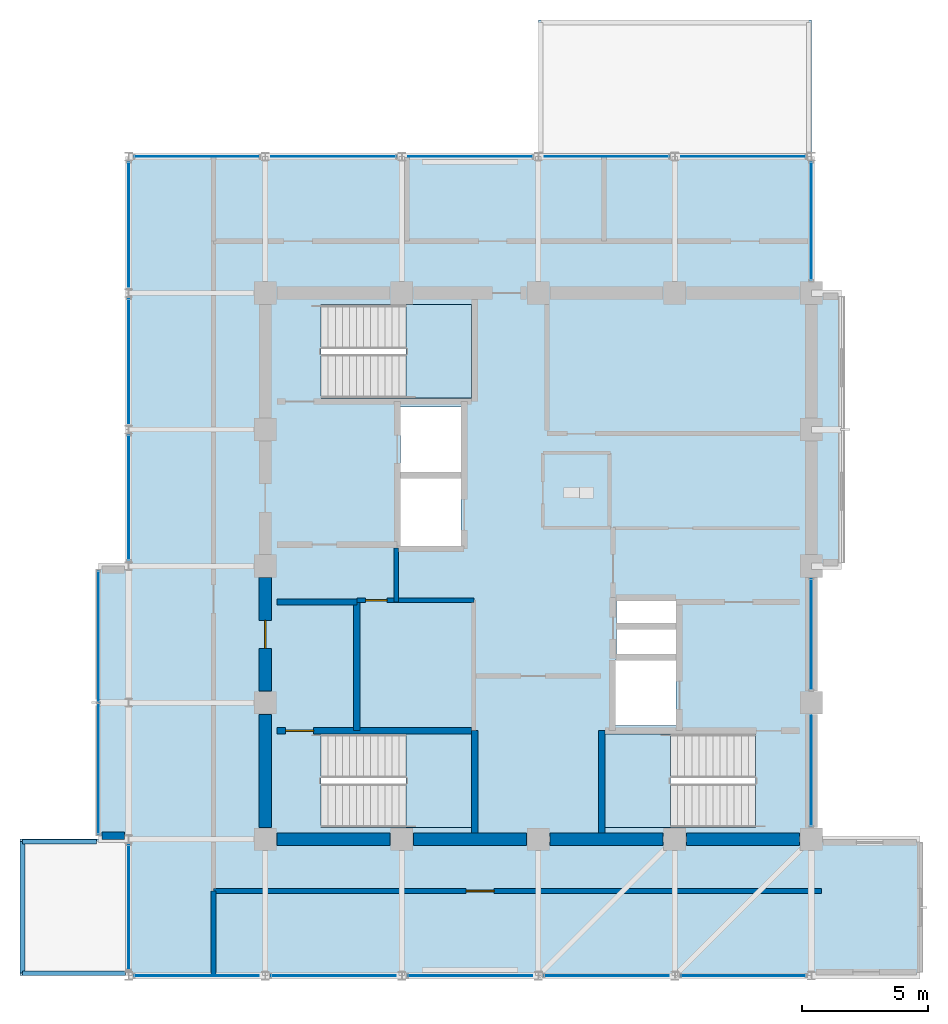
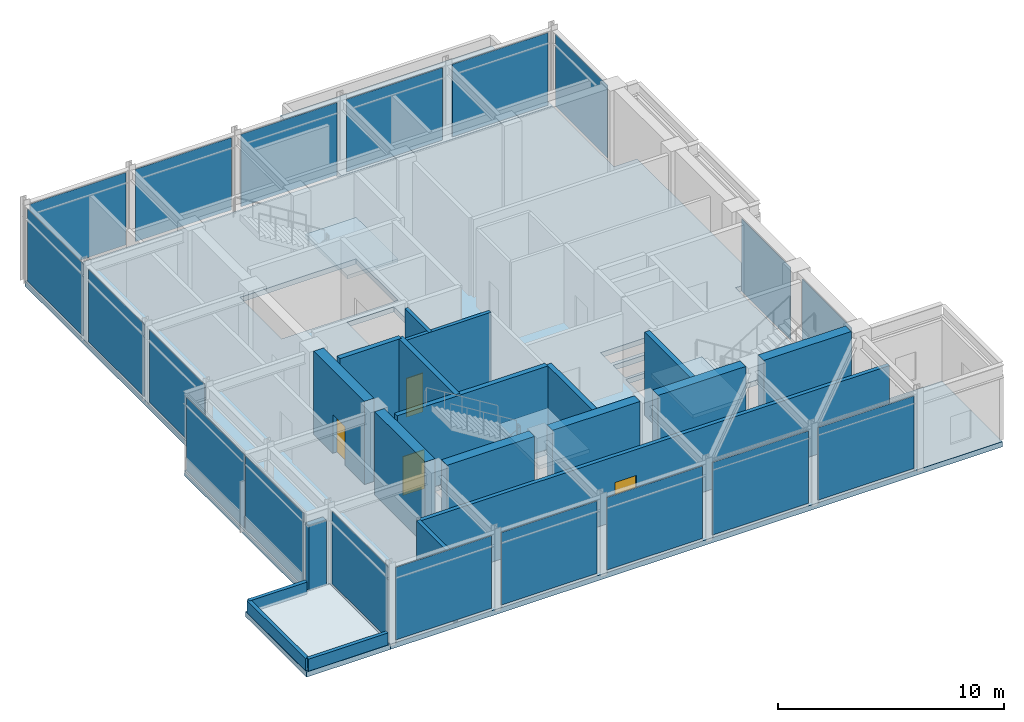
# One storey, part 13 of 18: 19 plates, 19 walls, 6 slabs, 4 doors, 4 openings, 10 elements without a shape of their own.
"""IFC4 building model written with IfcOpenShell, lengths in metres."""

from ifc_helpers import new_model, si_unit, direction, frame, frame_2d, origin, place, context, subcontext, project, spatial, polyline, rectangle, outline, extrude, material, layer, layer_set, type_object, element, fill, aggregate, save


model = new_model("IFC4")

# Units and contexts
model_context = context("Model", 3, precision=1e-05, world=origin(), true_north=direction((0.0, 1.0)))
body_context = subcontext(model_context, "Body", "Model", "MODEL_VIEW")
ifc_project = project(units=[si_unit("LENGTHUNIT", "METRE"), si_unit("AREAUNIT", "SQUARE_METRE"), si_unit("VOLUMEUNIT", "CUBIC_METRE"), si_unit("PLANEANGLEUNIT", "RADIAN"), si_unit("MASSUNIT", "GRAM", prefix="KILO")], contexts=[model_context])

# Site, building, storey
site_placement = place(None, origin())
site = spatial("IfcSite", under=ifc_project, at=site_placement, CompositionType="ELEMENT")
building_placement = place(site_placement, origin())
building = spatial("IfcBuilding", under=site, at=building_placement, Name="Surkhivell Harbour Commons", CompositionType="ELEMENT")
storey_placement = place(building_placement, frame((0.0, 0.0, 355.5)))
storey = spatial("IfcBuildingStorey", under=building, at=storey_placement, Name="L92", CompositionType="ELEMENT", Elevation=355.5)

# Curtain wall, plates
ifc_material_1 = material(Name="Anodised pale-metal aluminium and insulated glazing", Category="aluminium")
ifc_layer_1 = layer(ifc_material_1, 0.22998046875)
ifc_layer_set_1 = layer_set([ifc_layer_1], Name="Anodised pale-metal aluminium and insulated glazing")
curtain_wall_type_1 = type_object("IfcCurtainWallType", Name="CW-SYS-CRN", PredefinedType="NOTDEFINED", material=ifc_layer_set_1)
curtain_wall_1_placement = place(storey_placement, origin())
curtain_wall_1 = element("IfcCurtainWall", 1, at=curtain_wall_1_placement, inside=storey, type_object=curtain_wall_type_1, Name="L92 Curtain Wall CW-L92-C00", PredefinedType="NOTDEFINED")
ifc_material_2 = material(Name="Botanical conservatory clear low-iron glass", Category="glass")
ifc_layer_2 = layer(ifc_material_2, 0.033935546875)
ifc_layer_set_2 = layer_set([ifc_layer_2], Name="Botanical conservatory clear low-iron glass")
plate_type_1 = type_object("IfcPlateType", Name="CWP-CRN-34", PredefinedType="CURTAIN_PANEL", material=ifc_layer_set_2)
plate_1_placement = place(storey_placement, frame((-15.952880859375, -16.199951171875, 0.14990234375), z_axis=(0.0, 0.0, 1.0), x_axis=(1.0, 0.0, 0.0)))
plate_1 = element("IfcPlate", 2, at=plate_1_placement, type_object=plate_type_1, Name="CW-CRN panel 1.1", PredefinedType="CURTAIN_PANEL", context=body_context, shape_type="SweptSolid", body=[
    extrude(rectangle(XDim=4.90576171875, YDim=0.033935546875, at=frame_2d((2.452880859375, 0.0))), origin(), (0.0, 0.0, 1.0), 3.920166015625),
])
plate_2_placement = place(storey_placement, frame((-10.552978515625, -16.199951171875, 0.14990234375), z_axis=(0.0, 0.0, 1.0), x_axis=(1.0, 0.0, 0.0)))
plate_2 = element("IfcPlate", 3, at=plate_2_placement, type_object=plate_type_1, Name="CW-CRN panel 2.1", PredefinedType="CURTAIN_PANEL", context=body_context, shape_type="SweptSolid", body=[
    extrude(rectangle(XDim=4.906005859375, YDim=0.033935546875, at=frame_2d((2.453125, 0.0))), origin(), (0.0, 0.0, 1.0), 3.920166015625),
])
plate_3_placement = place(storey_placement, frame((-5.153076171875, -16.199951171875, 0.14990234375), z_axis=(0.0, 0.0, 1.0), x_axis=(1.0, 0.0, 0.0)))
plate_3 = element("IfcPlate", 4, at=plate_3_placement, type_object=plate_type_1, Name="CW-CRN panel 3.1", PredefinedType="CURTAIN_PANEL", context=body_context, shape_type="SweptSolid", body=[
    extrude(rectangle(XDim=4.906005859375, YDim=0.033935546875, at=frame_2d((2.453125, 0.0))), origin(), (0.0, 0.0, 1.0), 3.920166015625),
])
plate_4_placement = place(storey_placement, frame((0.2470703125, -16.199951171875, 0.14990234375), z_axis=(0.0, 0.0, 1.0), x_axis=(1.0, 0.0, 0.0)))
plate_4 = element("IfcPlate", 5, at=plate_4_placement, type_object=plate_type_1, Name="CW-CRN panel 4.1", PredefinedType="CURTAIN_PANEL", context=body_context, shape_type="SweptSolid", body=[
    extrude(rectangle(XDim=4.906005859375, YDim=0.033935546875, at=frame_2d((2.453125, 0.0))), origin(), (0.0, 0.0, 1.0), 3.920166015625),
])
plate_5_placement = place(storey_placement, frame((5.64697265625, -16.199951171875, 0.14990234375), z_axis=(0.0, 0.0, 1.0), x_axis=(1.0, 0.0, 0.0)))
plate_5 = element("IfcPlate", 6, at=plate_5_placement, type_object=plate_type_1, Name="CW-CRN panel 5.1", PredefinedType="CURTAIN_PANEL", context=body_context, shape_type="SweptSolid", body=[
    extrude(rectangle(XDim=4.906005859375, YDim=0.033935546875, at=frame_2d((2.453125, 0.0))), origin(), (0.0, 0.0, 1.0), 3.920166015625),
])
aggregate(curtain_wall_1, [plate_1, plate_2, plate_3, plate_4, plate_5])

curtain_wall_2_placement = place(storey_placement, origin())
curtain_wall_2 = element("IfcCurtainWall", 7, at=curtain_wall_2_placement, inside=storey, type_object=curtain_wall_type_1, Name="L92 Curtain Wall CW-L92-C01S1", PredefinedType="NOTDEFINED")
plate_6_placement = place(storey_placement, frame((10.800048828125, -10.27294921875, 0.14990234375), z_axis=(0.0, 0.0, 1.0), x_axis=(0.0, 1.0, 0.0)))
plate_6 = element("IfcPlate", 8, at=plate_6_placement, type_object=plate_type_1, Name="CW-CRN panel 1.1", PredefinedType="CURTAIN_PANEL", context=body_context, shape_type="SweptSolid", body=[
    extrude(rectangle(XDim=4.345947265625, YDim=0.033935546875, at=frame_2d((2.1728515625, 0.0))), origin(), (0.0, 0.0, 1.0), 3.920166015625),
])
plate_7_placement = place(storey_placement, frame((10.800048828125, -4.873046875, 0.14990234375), z_axis=(0.0, 0.0, 1.0), x_axis=(0.0, 1.0, 0.0)))
plate_7 = element("IfcPlate", 9, at=plate_7_placement, type_object=plate_type_1, Name="CW-CRN panel 2.1", PredefinedType="CURTAIN_PANEL", context=body_context, shape_type="SweptSolid", body=[
    extrude(rectangle(XDim=4.345947265625, YDim=0.033935546875, at=frame_2d((2.1728515625, 0.0))), origin(), (0.0, 0.0, 1.0), 3.920166015625),
])
aggregate(curtain_wall_2, [plate_6, plate_7])

# Curtain wall, plate
curtain_wall_3_placement = place(storey_placement, origin())
curtain_wall_3 = element("IfcCurtainWall", 10, at=curtain_wall_3_placement, inside=storey, type_object=curtain_wall_type_1, Name="L92 Curtain Wall CW-L92-C01S2", PredefinedType="NOTDEFINED")
plate_8_placement = place(storey_placement, frame((10.800048828125, 11.326904296875, 0.14990234375), z_axis=(0.0, 0.0, 1.0), x_axis=(0.0, 1.0, 0.0)))
plate_8 = element("IfcPlate", 11, at=plate_8_placement, type_object=plate_type_1, Name="CW-CRN panel 1.1", PredefinedType="CURTAIN_PANEL", context=body_context, shape_type="SweptSolid", body=[
    extrude(rectangle(XDim=4.6259765625, YDim=0.033935546875, at=frame_2d((2.31298828125, 0.0))), origin(), (0.0, 0.0, 1.0), 3.920166015625),
])
aggregate(curtain_wall_3, [plate_8])

# Curtain wall, plates
curtain_wall_4_placement = place(storey_placement, origin())
curtain_wall_4 = element("IfcCurtainWall", 12, at=curtain_wall_4_placement, inside=storey, type_object=curtain_wall_type_1, Name="L92 Curtain Wall CW-L92-C02", PredefinedType="NOTDEFINED")
plate_9_placement = place(storey_placement, frame((10.552978515625, 16.199951171875, 0.14990234375), z_axis=(0.0, 0.0, 1.0), x_axis=(-1.0, 0.0, 0.0)))
plate_9 = element("IfcPlate", 13, at=plate_9_placement, type_object=plate_type_1, Name="CW-CRN panel 1.1", PredefinedType="CURTAIN_PANEL", context=body_context, shape_type="SweptSolid", body=[
    extrude(rectangle(XDim=4.906005859375, YDim=0.033935546875, at=frame_2d((2.453125, 0.0))), origin(), (0.0, 0.0, 1.0), 3.920166015625),
])
plate_10_placement = place(storey_placement, frame((5.153076171875, 16.199951171875, 0.14990234375), z_axis=(0.0, 0.0, 1.0), x_axis=(-1.0, 0.0, 0.0)))
plate_10 = element("IfcPlate", 14, at=plate_10_placement, type_object=plate_type_1, Name="CW-CRN panel 2.1", PredefinedType="CURTAIN_PANEL", context=body_context, shape_type="SweptSolid", body=[
    extrude(rectangle(XDim=4.906005859375, YDim=0.033935546875, at=frame_2d((2.453125, 0.0))), origin(), (0.0, 0.0, 1.0), 3.920166015625),
])
plate_11_placement = place(storey_placement, frame((-0.2470703125, 16.199951171875, 0.14990234375), z_axis=(0.0, 0.0, 1.0), x_axis=(-1.0, 0.0, 0.0)))
plate_11 = element("IfcPlate", 15, at=plate_11_placement, type_object=plate_type_1, Name="CW-CRN panel 3.1", PredefinedType="CURTAIN_PANEL", context=body_context, shape_type="SweptSolid", body=[
    extrude(rectangle(XDim=4.906005859375, YDim=0.033935546875, at=frame_2d((2.453125, 0.0))), origin(), (0.0, 0.0, 1.0), 3.920166015625),
])
plate_12_placement = place(storey_placement, frame((-5.64697265625, 16.199951171875, 0.14990234375), z_axis=(0.0, 0.0, 1.0), x_axis=(-1.0, 0.0, 0.0)))
plate_12 = element("IfcPlate", 16, at=plate_12_placement, type_object=plate_type_1, Name="CW-CRN panel 4.1", PredefinedType="CURTAIN_PANEL", context=body_context, shape_type="SweptSolid", body=[
    extrude(rectangle(XDim=4.906005859375, YDim=0.033935546875, at=frame_2d((2.453125, 0.0))), origin(), (0.0, 0.0, 1.0), 3.920166015625),
])
plate_13_placement = place(storey_placement, frame((-11.047119140625, 16.199951171875, 0.14990234375), z_axis=(0.0, 0.0, 1.0), x_axis=(-1.0, 0.0, 0.0)))
plate_13 = element("IfcPlate", 17, at=plate_13_placement, type_object=plate_type_1, Name="CW-CRN panel 5.1", PredefinedType="CURTAIN_PANEL", context=body_context, shape_type="SweptSolid", body=[
    extrude(rectangle(XDim=4.90576171875, YDim=0.033935546875, at=frame_2d((2.452880859375, 0.0))), origin(), (0.0, 0.0, 1.0), 3.920166015625),
])
aggregate(curtain_wall_4, [plate_9, plate_10, plate_11, plate_12, plate_13])

# Curtain wall, plate
curtain_wall_5_placement = place(storey_placement, origin())
curtain_wall_5 = element("IfcCurtainWall", 18, at=curtain_wall_5_placement, inside=storey, type_object=curtain_wall_type_1, Name="L92 Curtain Wall CW-L92-C03S1", PredefinedType="NOTDEFINED")
plate_14_placement = place(storey_placement, frame((-16.199951171875, -11.047119140625, 0.14990234375), z_axis=(0.0, 0.0, 1.0), x_axis=(0.0, -1.0, 0.0)))
plate_14 = element("IfcPlate", 19, at=plate_14_placement, type_object=plate_type_1, Name="CW-CRN panel 1.1", PredefinedType="CURTAIN_PANEL", context=body_context, shape_type="SweptSolid", body=[
    extrude(rectangle(XDim=4.90576171875, YDim=0.033935546875, at=frame_2d((2.452880859375, 0.0))), origin(), (0.0, 0.0, 1.0), 3.920166015625),
])
aggregate(curtain_wall_5, [plate_14])

# Curtain wall, plates
curtain_wall_6_placement = place(storey_placement, origin())
curtain_wall_6 = element("IfcCurtainWall", 20, at=curtain_wall_6_placement, inside=storey, type_object=curtain_wall_type_1, Name="L92 Curtain Wall CW-L92-C03S2", PredefinedType="NOTDEFINED")
plate_15_placement = place(storey_placement, frame((-16.199951171875, 15.952880859375, 0.14990234375), z_axis=(0.0, 0.0, 1.0), x_axis=(0.0, -1.0, 0.0)))
plate_15 = element("IfcPlate", 21, at=plate_15_placement, type_object=plate_type_1, Name="CW-CRN panel 1.1", PredefinedType="CURTAIN_PANEL", context=body_context, shape_type="SweptSolid", body=[
    extrude(rectangle(XDim=4.90576171875, YDim=0.033935546875, at=frame_2d((2.452880859375, 0.0))), origin(), (0.0, 0.0, 1.0), 3.920166015625),
])
plate_16_placement = place(storey_placement, frame((-16.199951171875, 10.552978515625, 0.14990234375), z_axis=(0.0, 0.0, 1.0), x_axis=(0.0, -1.0, 0.0)))
plate_16 = element("IfcPlate", 22, at=plate_16_placement, type_object=plate_type_1, Name="CW-CRN panel 2.1", PredefinedType="CURTAIN_PANEL", context=body_context, shape_type="SweptSolid", body=[
    extrude(rectangle(XDim=4.906005859375, YDim=0.033935546875, at=frame_2d((2.453125, 0.0))), origin(), (0.0, 0.0, 1.0), 3.920166015625),
])
plate_17_placement = place(storey_placement, frame((-16.199951171875, 5.153076171875, 0.14990234375), z_axis=(0.0, 0.0, 1.0), x_axis=(0.0, -1.0, 0.0)))
plate_17 = element("IfcPlate", 23, at=plate_17_placement, type_object=plate_type_1, Name="CW-CRN panel 3.1", PredefinedType="CURTAIN_PANEL", context=body_context, shape_type="SweptSolid", body=[
    extrude(rectangle(XDim=4.906005859375, YDim=0.033935546875, at=frame_2d((2.453125, 0.0))), origin(), (0.0, 0.0, 1.0), 3.920166015625),
])
aggregate(curtain_wall_6, [plate_15, plate_16, plate_17])

ifc_layer_3 = layer(ifc_material_1, 0.1650390625)
ifc_layer_set_3 = layer_set([ifc_layer_3], Name="Anodised pale-metal aluminium and insulated glazing")
curtain_wall_type_2 = type_object("IfcCurtainWallType", Name="CW-SYS-BOX", PredefinedType="NOTDEFINED", material=ifc_layer_set_3)
curtain_wall_7_placement = place(storey_placement, origin())
curtain_wall_7 = element("IfcCurtainWall", 24, at=curtain_wall_7_placement, inside=storey, type_object=curtain_wall_type_2, Name="L92 Curtain Wall CW-L92-BOX03", PredefinedType="NOTDEFINED")
ifc_material_3 = material(Name="Triple-glazed bay-cluster vision glass", Category="glass")
ifc_layer_4 = layer(ifc_material_3, 0.028076171875)
ifc_layer_set_4 = layer_set([ifc_layer_4], Name="Triple-glazed bay-cluster vision glass")
plate_type_2 = type_object("IfcPlateType", Name="CWP-GLZ-28", PredefinedType="CURTAIN_PANEL", material=ifc_layer_set_4)
plate_18_placement = place(storey_placement, frame((-17.39990234375, -10.580078125, 0.1298828125), z_axis=(0.0, 0.0, 1.0), x_axis=(0.0, 1.0, 0.0)))
plate_18 = element("IfcPlate", 25, at=plate_18_placement, type_object=plate_type_2, Name="CW-BOX panel 1.1", PredefinedType="CURTAIN_PANEL", context=body_context, shape_type="SweptSolid", body=[
    extrude(rectangle(XDim=5.14501953125, YDim=0.028076171875, at=frame_2d((2.572509765625, 0.0))), origin(), (0.0, 0.0, 1.0), 3.960205078125),
])
plate_19_placement = place(storey_placement, frame((-17.39990234375, -5.364990234375, 0.1298828125), z_axis=(0.0, 0.0, 1.0), x_axis=(0.0, 1.0, 0.0)))
plate_19 = element("IfcPlate", 26, at=plate_19_placement, type_object=plate_type_2, Name="CW-BOX panel 2.1", PredefinedType="CURTAIN_PANEL", context=body_context, shape_type="SweptSolid", body=[
    extrude(rectangle(XDim=5.14501953125, YDim=0.028076171875, at=frame_2d((2.572509765625, 0.0))), origin(), (0.0, 0.0, 1.0), 3.960205078125),
])
aggregate(curtain_wall_7, [plate_18, plate_19])

# Slabs
ifc_material_4 = material(Name="Concrete C50/60", Category="concrete")
ifc_layer_5 = layer(ifc_material_4, 0.280029296875)
ifc_layer_set_5 = layer_set([ifc_layer_5], Name="Concrete C50/60")
slab_type_1 = type_object("IfcSlabType", Name="SLB-BOXRF-280", PredefinedType="ROOF", material=ifc_layer_set_5)
slab_1_placement = place(storey_placement, frame((0.0, 0.0, -0.280029296875)))
element("IfcSlab", 27, at=slab_1_placement, inside=storey, type_object=slab_type_1, Name="L92 Closed Box-Cluster Roof Slab 1", PredefinedType="ROOF", context=body_context, shape_type="SweptSolid", body=[
    extrude(outline(polyline([(0.0, 16.219970703125), (10.800048828125, 16.219970703125), (10.800048828125, 21.60009765625), (0.0, 21.60009765625), (0.0, 16.219970703125)])), origin(), (0.0, 0.0, 1.0), 0.280029296875),
])
slab_2_placement = place(storey_placement, frame((0.0, 0.0, -0.280029296875)))
element("IfcSlab", 28, at=slab_2_placement, inside=storey, type_object=slab_type_1, Name="L92 Closed Box-Cluster Roof Slab 2", PredefinedType="ROOF", context=body_context, shape_type="SweptSolid", body=[
    extrude(outline(polyline([(-16.219970703125, -16.199951171875), (-16.219970703125, -10.820068359375), (-17.39990234375, -10.820068359375), (-17.40185546875, -10.81982421875), (-17.40380859375, -10.819580078125), (-17.40576171875, -10.819091796875), (-17.40771484375, -10.818359375), (-17.409423828125, -10.817626953125), (-17.4111328125, -10.816650390625), (-17.41259765625, -10.8154296875), (-17.4140625, -10.814208984375), (-17.41552734375, -10.812744140625), (-17.416748046875, -10.81103515625), (-17.42333984375, -10.800048828125), (-20.5, -10.800048828125), (-20.5, -16.199951171875), (-16.219970703125, -16.199951171875)])), origin(), (0.0, 0.0, 1.0), 0.280029296875),
])
ifc_layer_6 = layer(ifc_material_4, 0.280029296875)
ifc_layer_set_6 = layer_set([ifc_layer_6], Name="Concrete C50/60")
slab_type_2 = type_object("IfcSlabType", Name="SLB-CRN-280", PredefinedType="FLOOR", material=ifc_layer_set_6)
slab_3_placement = place(storey_placement, frame((0.0, 0.0, -0.280029296875)))
element("IfcSlab", 29, at=slab_3_placement, inside=storey, type_object=slab_type_2, Name="L92 Structural Floor Slab", PredefinedType="FLOOR", context=body_context, shape_type="SweptSolid", body=[
    extrude(outline(polyline([(-16.199951171875, 16.199951171875), (-16.199951171875, 0.0), (-17.39990234375, 0.0), (-17.39990234375, -10.800048828125), (-16.199951171875, -10.800048828125), (-16.199951171875, -16.199951171875), (10.800048828125, -16.199951171875), (15.10009765625, -16.199951171875), (15.10009765625, -10.800048828125), (10.800048828125, -10.800048828125), (10.800048828125, 0.0), (12.0, 0.0), (12.0, 10.800048828125), (10.800048828125, 10.800048828125), (10.800048828125, 16.199951171875), (-16.199951171875, 16.199951171875)]), holes=[polyline([(-8.590087890625, 6.639892578125), (-2.639892578125, 6.639892578125), (-2.639892578125, 10.340087890625), (-8.590087890625, 10.340087890625), (-8.590087890625, 6.639892578125)]), polyline([(8.590087890625, -6.639892578125), (2.639892578125, -6.639892578125), (2.639892578125, -10.340087890625), (8.590087890625, -10.340087890625), (8.590087890625, -6.639892578125)]), polyline([(-8.590087890625, -10.340087890625), (-2.639892578125, -10.340087890625), (-2.639892578125, -6.639892578125), (-8.590087890625, -6.639892578125), (-8.590087890625, -10.340087890625)]), polyline([(-5.449951171875, 3.699951171875), (-3.050048828125, 3.699951171875), (-3.050048828125, 6.300048828125), (-5.449951171875, 6.300048828125), (-5.449951171875, 3.699951171875)]), polyline([(3.050048828125, -6.300048828125), (5.449951171875, -6.300048828125), (5.449951171875, -3.699951171875), (3.050048828125, -3.699951171875), (3.050048828125, -6.300048828125)]), polyline([(-5.449951171875, 0.800048828125), (-3.050048828125, 0.800048828125), (-3.050048828125, 3.5), (-5.449951171875, 3.5), (-5.449951171875, 0.800048828125)]), polyline([(3.10009765625, -3.550048828125), (5.449951171875, -3.550048828125), (5.449951171875, -2.47998046875), (3.10009765625, -2.47998046875), (3.10009765625, -3.550048828125)]), polyline([(3.10009765625, -2.280029296875), (5.449951171875, -2.280029296875), (5.449951171875, -1.35009765625), (3.10009765625, -1.35009765625), (3.10009765625, -2.280029296875)])]), origin(), (0.0, 0.0, 1.0), 0.280029296875),
])

# Stair, slab
ifc_material_5 = material(Name="Precast concrete C45/55", Category="concrete")
stair_type = type_object("IfcStairType", Name="STR-DL-450", PredefinedType="HALF_TURN_STAIR", material=ifc_material_5)
stair_1_placement = place(storey_placement, origin())
stair_1 = element("IfcStair", 30, at=stair_1_placement, inside=storey, type_object=stair_type, Name="L92 Core Exit Stair ST1", PredefinedType="HALF_TURN_STAIR")
ifc_material_6 = material(Name="Reinforced concrete C45/55", Category="concrete")
ifc_layer_7 = layer(ifc_material_6, 0.199951171875)
ifc_layer_set_7 = layer_set([ifc_layer_7], Name="Reinforced concrete C45/55")
slab_type_3 = type_object("IfcSlabType", Name="SLB-ST-LND200", PredefinedType="LANDING", material=ifc_layer_set_7)
slab_4_placement = place(storey_placement, frame((0.0, 0.0, 2.050048828125)))
slab_4 = element("IfcSlab", 31, at=slab_4_placement, type_object=slab_type_3, Name="ST1 landing 1", PredefinedType="LANDING", context=body_context, shape_type="SweptSolid", body=[
    extrude(outline(polyline([(-5.22998046875, 6.639892578125), (-2.639892578125, 6.639892578125), (-2.639892578125, 10.340087890625), (-5.22998046875, 10.340087890625), (-5.22998046875, 6.639892578125)])), origin(), (0.0, 0.0, 1.0), 0.199951171875),
])
aggregate(stair_1, [slab_4])

stair_2_placement = place(storey_placement, origin())
stair_2 = element("IfcStair", 32, at=stair_2_placement, inside=storey, type_object=stair_type, Name="L92 Core Exit Stair ST2", PredefinedType="HALF_TURN_STAIR")
slab_5_placement = place(storey_placement, frame((0.0, 0.0, 2.050048828125)))
slab_5 = element("IfcSlab", 33, at=slab_5_placement, type_object=slab_type_3, Name="ST2 landing 1", PredefinedType="LANDING", context=body_context, shape_type="SweptSolid", body=[
    extrude(outline(polyline([(5.22998046875, -6.639892578125), (2.639892578125, -6.639892578125), (2.639892578125, -10.340087890625), (5.22998046875, -10.340087890625), (5.22998046875, -6.639892578125)])), origin(), (0.0, 0.0, 1.0), 0.199951171875),
])
aggregate(stair_2, [slab_5])

stair_3_placement = place(storey_placement, origin())
stair_3 = element("IfcStair", 34, at=stair_3_placement, inside=storey, type_object=stair_type, Name="L92 Core Exit Stair ST3", PredefinedType="HALF_TURN_STAIR")
slab_6_placement = place(storey_placement, frame((0.0, 0.0, 2.050048828125)))
slab_6 = element("IfcSlab", 35, at=slab_6_placement, type_object=slab_type_3, Name="ST3 landing 1", PredefinedType="LANDING", context=body_context, shape_type="SweptSolid", body=[
    extrude(outline(polyline([(-5.22998046875, -10.340087890625), (-2.639892578125, -10.340087890625), (-2.639892578125, -6.639892578125), (-5.22998046875, -6.639892578125), (-5.22998046875, -10.340087890625)])), origin(), (0.0, 0.0, 1.0), 0.199951171875),
])
aggregate(stair_3, [slab_6])

# Walls
ifc_layer_8 = layer(ifc_material_4, 0.5)
ifc_layer_set_8 = layer_set([ifc_layer_8], Name="Concrete C50/60")
wall_type_1 = type_object("IfcWallType", Name="WAL-CORE-500", PredefinedType="SHEAR", material=ifc_layer_set_8)
for number, where, z_axis, x_axis, name in (
    (36, (-10.340087890625, -10.800048828125, 0.0), (0.0, 0.0, 1.0), (1.0, 0.0, 0.0), "L92 Core Shear Wall South 1"),
    (37, (-10.800048828125, -10.340087890625, 0.0), (0.0, 0.0, 1.0), (0.0, 1.0, 0.0), "L92 Core Shear Wall West 1"),
    (38, (-4.93994140625, -10.800048828125, 0.0), (0.0, 0.0, 1.0), (1.0, 0.0, 0.0), "L92 Core Shear Wall South 2"),
):
    element("IfcWall", number, at=place(storey_placement, frame(where, z_axis=z_axis, x_axis=x_axis)), inside=storey, type_object=wall_type_1, Name=name, PredefinedType="SHEAR", context=body_context, shape_type="SweptSolid", body=[
        extrude(rectangle(XDim=4.47998046875, YDim=0.5, at=frame_2d((2.239990234375, 0.0))), origin(), (0.0, 0.0, 1.0), 4.5),
    ])

# Wall, opening, door
wall_1_placement = place(storey_placement, frame((-10.800048828125, -4.93994140625, 0.0), z_axis=(0.0, 0.0, 1.0), x_axis=(0.0, 1.0, 0.0)))
wall_1 = element("IfcWall", 39, at=wall_1_placement, inside=storey, type_object=wall_type_1, Name="L92 Core Shear Wall West 2", PredefinedType="SHEAR", context=body_context, shape_type="SweptSolid", body=[
    extrude(rectangle(XDim=4.47998046875, YDim=0.5, at=frame_2d((2.239990234375, 0.0))), origin(), (0.0, 0.0, 1.0), 4.5),
])
opening_1_placement = place(wall_1_placement, frame((1.68994140625, 0.0, 0.0)))
opening_1 = element("IfcOpeningElement", 40, at=opening_1_placement, cuts=wall_1, Name="Opening ID-2", PredefinedType="OPENING", context=body_context, shape_type="SweptSolid", body=[
    extrude(rectangle(XDim=1.10009765625, YDim=2.10009765625, at=frame_2d((0.550048828125, 1.050048828125))), frame((0.0, 0.260009765625, 0.0), z_axis=(0.0, -1.0, 0.0), x_axis=(1.0, 0.0, 0.0)), (0.0, 0.0, 1.0), 0.52001953125),
])
ifc_material_7 = material(Name="Hardwood-veneered fire-rated door leaf", Category="wood")
door_type_1 = type_object("IfcDoorType", Name="DOR-FD60-1100", OperationType="NOTDEFINED", PredefinedType="DOOR", material=ifc_material_7)
door_1_placement = place(opening_1_placement, origin())
door_1 = element("IfcDoor", 41, at=door_1_placement, inside=storey, type_object=door_type_1, Name="L92 Stair 3 Lobby Corridor Door", OperationType="SINGLE_SWING_LEFT", OverallHeight=2.10009765625, OverallWidth=1.10009765625, PredefinedType="DOOR", context=body_context, shape_type="SweptSolid", body=[
    extrude(rectangle(XDim=1.10009765625, YDim=2.10009765625, at=frame_2d((0.550048828125, 1.050048828125))), frame((0.0, 0.02490234375, 0.0), z_axis=(0.0, -1.0, 0.0), x_axis=(1.0, 0.0, 0.0)), (0.0, 0.0, 1.0), 0.050048828125),
])
fill(opening_1, door_1)

# Walls
for number, where, z_axis, x_axis, name in (
    (42, (0.4599609375, -10.800048828125, 0.0), (0.0, 0.0, 1.0), (1.0, 0.0, 0.0), "L92 Core Shear Wall South 3"),
    (43, (5.860107421875, -10.800048828125, 0.0), (0.0, 0.0, 1.0), (1.0, 0.0, 0.0), "L92 Core Shear Wall South 4"),
):
    element("IfcWall", number, at=place(storey_placement, frame(where, z_axis=z_axis, x_axis=x_axis)), inside=storey, type_object=wall_type_1, Name=name, PredefinedType="SHEAR", context=body_context, shape_type="SweptSolid", body=[
        extrude(rectangle(XDim=4.47998046875, YDim=0.5, at=frame_2d((2.239990234375, 0.0))), origin(), (0.0, 0.0, 1.0), 4.5),
    ])
ifc_material_8 = material(Name="Flemish-bond kiln brick and precast concrete C45/55", Category="masonry")
ifc_layer_9 = layer(ifc_material_8, 0.300048828125)
ifc_layer_set_9 = layer_set([ifc_layer_9], Name="Flemish-bond kiln brick and precast concrete C45/55")
wall_type_2 = type_object("IfcWallType", Name="WAL-EXT-BRK300", PredefinedType="STANDARD", material=ifc_layer_set_9)
wall_2_placement = place(storey_placement, frame((-17.260009765625, -10.659912109375, 0.0), z_axis=(0.0, 0.0, 1.0), x_axis=(1.0, 0.0, 0.0)))
element("IfcWall", 44, at=wall_2_placement, inside=storey, type_object=wall_type_2, Name="L92 Coloured Box Return Wall 03S", PredefinedType="STANDARD", context=body_context, shape_type="SweptSolid", body=[
    extrude(rectangle(XDim=0.885986328125, YDim=0.300048828125, at=frame_2d((0.44287109375, 0.0))), origin(), (0.0, 0.0, 1.0), 3.507080078125),
])

# Wall, opening, door
ifc_material_9 = material(Name="High-density acoustic blockwork fire partition", Category="masonry")
ifc_layer_10 = layer(ifc_material_9, 0.175048828125)
ifc_layer_set_10 = layer_set([ifc_layer_10], Name="High-density acoustic blockwork fire partition")
wall_type_3 = type_object("IfcWallType", Name="WAL-INT-175", PredefinedType="PARTITIONING", material=ifc_layer_set_10)
wall_3_placement = place(storey_placement, frame((-7.179931640625, -1.35009765625, 0.0), z_axis=(0.0, 0.0, 1.0), x_axis=(1.0, 0.0, 0.0)))
wall_3 = element("IfcWall", 45, at=wall_3_placement, inside=storey, type_object=wall_type_3, Name="L92 Core Service Bay North Wall", PredefinedType="PARTITIONING", context=body_context, shape_type="SweptSolid", body=[
    extrude(rectangle(XDim=4.6298828125, YDim=0.175048828125, at=frame_2d((2.31494140625, 0.0))), origin(), (0.0, 0.0, 1.0), 4.219970703125),
])
opening_2_placement = place(wall_3_placement, frame((0.345947265625, 0.0, 0.0)))
opening_2 = element("IfcOpeningElement", 46, at=opening_2_placement, cuts=wall_3, Name="Opening ID-6", PredefinedType="OPENING", context=body_context, shape_type="SweptSolid", body=[
    extrude(rectangle(XDim=0.85009765625, YDim=2.10009765625, at=frame_2d((0.425048828125, 1.050048828125))), frame((0.0, 0.097412109375, 0.0), z_axis=(0.0, -1.0, 0.0), x_axis=(1.0, 0.0, 0.0)), (0.0, 0.0, 1.0), 0.195068359375),
])
door_type_2 = type_object("IfcDoorType", Name="DOR-FD30-850", OperationType="NOTDEFINED", PredefinedType="DOOR", material=ifc_material_7)
door_2_placement = place(opening_2_placement, origin())
door_2 = element("IfcDoor", 47, at=door_2_placement, inside=storey, type_object=door_type_2, Name="L92 Core Metering Door", OperationType="SINGLE_SWING_LEFT", OverallHeight=2.10009765625, OverallWidth=0.85009765625, PredefinedType="DOOR", context=body_context, shape_type="SweptSolid", body=[
    extrude(rectangle(XDim=0.85009765625, YDim=2.10009765625, at=frame_2d((0.425048828125, 1.050048828125))), frame((0.0, 0.02490234375, 0.0), z_axis=(0.0, -1.0, 0.0), x_axis=(1.0, 0.0, 0.0)), (0.0, 0.0, 1.0), 0.050048828125),
])
fill(opening_2, door_2)

# Walls
wall_4_placement = place(storey_placement, frame((-5.6201171875, -1.419921875, 0.0), z_axis=(0.0, 0.0, 1.0), x_axis=(0.0, 1.0, 0.0)))
element("IfcWall", 48, at=wall_4_placement, inside=storey, type_object=wall_type_3, Name="L92 West Core Bay East Wall", PredefinedType="PARTITIONING", context=body_context, shape_type="SweptSolid", body=[
    extrude(rectangle(XDim=2.139892578125, YDim=0.175048828125, at=frame_2d((1.06982421875, 0.0))), origin(), (0.0, 0.0, 1.0), 4.219970703125),
])
ifc_material_10 = material(Name="Autoclaved aerated concrete blockwork and fire plaster", Category="masonry")
ifc_layer_11 = layer(ifc_material_10, 0.199951171875)
ifc_layer_set_11 = layer_set([ifc_layer_11], Name="Autoclaved aerated concrete blockwork and fire plaster")
wall_type_4 = type_object("IfcWallType", Name="WAL-INT-200", PredefinedType="PARTITIONING", material=ifc_layer_set_11)
wall_5_placement = place(storey_placement, frame((-12.85009765625, -16.159912109375, 0.0), z_axis=(0.0, 0.0, 1.0), x_axis=(0.0, 1.0, 0.0)))
element("IfcWall", 49, at=wall_5_placement, inside=storey, type_object=wall_type_4, Name="L92 Crown SW Corner Wall", PredefinedType="PARTITIONING", context=body_context, shape_type="SweptSolid", body=[
    extrude(rectangle(XDim=3.309814453125, YDim=0.199951171875, at=frame_2d((1.65478515625, 0.0))), origin(), (0.0, 0.0, 1.0), 3.507080078125),
])

# Wall, opening, door
wall_6_placement = place(storey_placement, frame((-12.85009765625, -12.85009765625, 0.0), z_axis=(0.0, 0.0, 1.0), x_axis=(1.0, 0.0, 0.0)))
wall_6 = element("IfcWall", 50, at=wall_6_placement, inside=storey, type_object=wall_type_4, Name="L92 Crown Corridor South Wall", PredefinedType="PARTITIONING", context=body_context, shape_type="SweptSolid", body=[
    extrude(rectangle(XDim=24.050048828125, YDim=0.199951171875, at=frame_2d((12.02490234375, 0.0))), origin(), (0.0, 0.0, 1.0), 3.507080078125),
])
opening_3_placement = place(wall_6_placement, frame((10.0, 0.0, 0.0)))
opening_3 = element("IfcOpeningElement", 51, at=opening_3_placement, cuts=wall_6, Name="Opening ID-2", PredefinedType="OPENING", context=body_context, shape_type="SweptSolid", body=[
    extrude(rectangle(XDim=1.10009765625, YDim=2.10009765625, at=frame_2d((0.550048828125, 1.050048828125))), frame((0.0, 0.10986328125, 0.0), z_axis=(0.0, -1.0, 0.0), x_axis=(1.0, 0.0, 0.0)), (0.0, 0.0, 1.0), 0.219970703125),
])
door_3_placement = place(opening_3_placement, origin())
door_3 = element("IfcDoor", 52, at=door_3_placement, inside=storey, type_object=door_type_1, Name="L92 L92 Roof Lift Machine and Switchgear Hall Door", OperationType="SINGLE_SWING_RIGHT", OverallHeight=2.10009765625, OverallWidth=1.10009765625, PredefinedType="DOOR", context=body_context, shape_type="SweptSolid", body=[
    extrude(rectangle(XDim=1.10009765625, YDim=2.10009765625, at=frame_2d((0.550048828125, 1.050048828125))), frame((0.0, 0.02490234375, 0.0), z_axis=(0.0, -1.0, 0.0), x_axis=(1.0, 0.0, 0.0)), (0.0, 0.0, 1.0), 0.050048828125),
])
fill(opening_3, door_3)

# Walls
ifc_material_11 = material(Name="Anodised aluminium and precast concrete C40/50", Category="concrete")
ifc_layer_12 = layer(ifc_material_11, 0.18505859375)
ifc_layer_set_12 = layer_set([ifc_layer_12], Name="Anodised aluminium and precast concrete C40/50")
wall_type_5 = type_object("IfcWallType", Name="WAL-PAR-185", PredefinedType="PARAPET", material=ifc_layer_set_12)
wall_7_placement = place(storey_placement, frame((-20.39990234375, -10.89990234375, 0.0), z_axis=(0.0, 0.0, 1.0), x_axis=(0.0, -1.0, 0.0)))
element("IfcWall", 53, at=wall_7_placement, inside=storey, type_object=wall_type_5, Name="L92 Box Roof Coping Parapet 2-1", PredefinedType="PARAPET", context=body_context, shape_type="SweptSolid", body=[
    extrude(rectangle(XDim=5.2001953125, YDim=0.18505859375, at=frame_2d((2.60009765625, 0.0))), origin(), (0.0, 0.0, 1.0), 0.64990234375),
])
wall_8_placement = place(storey_placement, frame((-20.39990234375, -16.10009765625, 0.0), z_axis=(0.0, 0.0, 1.0), x_axis=(1.0, 0.0, 0.0)))
element("IfcWall", 54, at=wall_8_placement, inside=storey, type_object=wall_type_5, Name="L92 Box Roof Coping Parapet 2-2", PredefinedType="PARAPET", context=body_context, shape_type="SweptSolid", body=[
    extrude(rectangle(XDim=4.079833984375, YDim=0.18505859375, at=frame_2d((2.0400390625, 0.0))), origin(), (0.0, 0.0, 1.0), 0.64990234375),
])
wall_9_placement = place(storey_placement, frame((-17.466552734375, -10.89990234375, 0.0), z_axis=(0.0, 0.0, 1.0), x_axis=(-1.0, 0.0, 0.0)))
element("IfcWall", 55, at=wall_9_placement, inside=storey, type_object=wall_type_5, Name="L92 Box Roof Coping Parapet 2-3", PredefinedType="PARAPET", context=body_context, shape_type="SweptSolid", body=[
    extrude(rectangle(XDim=2.933349609375, YDim=0.18505859375, at=frame_2d((1.466796875, 0.0))), origin(), (0.0, 0.0, 1.0), 0.64990234375),
])
ifc_layer_13 = layer(ifc_material_4, 0.25)
ifc_layer_set_13 = layer_set([ifc_layer_13], Name="Concrete C50/60")
wall_type_6 = type_object("IfcWallType", Name="WAL-SHAFT-250", PredefinedType="SHEAR", material=ifc_layer_set_13)
for number, where, z_axis, x_axis, name in (
    (56, (2.510009765625, -10.550048828125, 0.0), (0.0, 0.0, 1.0), (0.0, 1.0, 0.0), "L92 Stair ST2 West Shear Wall"),
    (57, (-2.510009765625, -10.550048828125, 0.0), (0.0, 0.0, 1.0), (0.0, 1.0, 0.0), "L92 Stair ST3 East Shear Wall"),
):
    element("IfcWall", number, at=place(storey_placement, frame(where, z_axis=z_axis, x_axis=x_axis)), inside=storey, type_object=wall_type_6, Name=name, PredefinedType="SHEAR", context=body_context, shape_type="SweptSolid", body=[
        extrude(rectangle(XDim=4.0400390625, YDim=0.25, at=frame_2d((2.02001953125, 0.0))), origin(), (0.0, 0.0, 1.0), 4.5),
    ])
wall_10_placement = place(storey_placement, frame((-7.179931640625, -6.510009765625, 0.0), z_axis=(0.0, 0.0, 1.0), x_axis=(0.0, 1.0, 0.0)))
element("IfcWall", 58, at=wall_10_placement, inside=storey, type_object=wall_type_6, Name="L92 Stair 3 Lobby East Wall", PredefinedType="SHEAR", context=body_context, shape_type="SweptSolid", body=[
    extrude(rectangle(XDim=5.090087890625, YDim=0.25, at=frame_2d((2.544921875, 0.0))), origin(), (0.0, 0.0, 1.0), 4.5),
])
wall_11_placement = place(storey_placement, frame((-10.340087890625, -1.419921875, 0.0), z_axis=(0.0, 0.0, 1.0), x_axis=(1.0, 0.0, 0.0)))
element("IfcWall", 59, at=wall_11_placement, inside=storey, type_object=wall_type_6, Name="L92 Stair 3 Lobby North Wall", PredefinedType="SHEAR", context=body_context, shape_type="SweptSolid", body=[
    extrude(rectangle(XDim=3.16015625, YDim=0.25, at=frame_2d((1.580078125, 0.0))), origin(), (0.0, 0.0, 1.0), 4.5),
])

# Wall, opening, door
wall_12_placement = place(storey_placement, frame((-10.340087890625, -6.510009765625, 0.0), z_axis=(0.0, 0.0, 1.0), x_axis=(1.0, 0.0, 0.0)))
wall_12 = element("IfcWall", 60, at=wall_12_placement, inside=storey, type_object=wall_type_6, Name="L92 Stair ST3 North Shear Wall", PredefinedType="SHEAR", context=body_context, shape_type="SweptSolid", body=[
    extrude(rectangle(XDim=7.7001953125, YDim=0.25, at=frame_2d((3.85009765625, 0.0))), origin(), (0.0, 0.0, 1.0), 4.5),
])
opening_4_placement = place(wall_12_placement, frame((0.35009765625, 0.0, 0.0)))
opening_4 = element("IfcOpeningElement", 61, at=opening_4_placement, cuts=wall_12, Name="Opening ID-2", PredefinedType="OPENING", context=body_context, shape_type="SweptSolid", body=[
    extrude(rectangle(XDim=1.10009765625, YDim=2.10009765625, at=frame_2d((0.550048828125, 1.050048828125))), frame((0.0, 0.135009765625, 0.0), z_axis=(0.0, -1.0, 0.0), x_axis=(1.0, 0.0, 0.0)), (0.0, 0.0, 1.0), 0.27001953125),
])
door_4_placement = place(opening_4_placement, origin())
door_4 = element("IfcDoor", 62, at=door_4_placement, inside=storey, type_object=door_type_1, Name="L92 Stair ST3 Exit Door", OperationType="SINGLE_SWING_RIGHT", OverallHeight=2.10009765625, OverallWidth=1.10009765625, PredefinedType="DOOR", context=body_context, shape_type="SweptSolid", body=[
    extrude(rectangle(XDim=1.10009765625, YDim=2.10009765625, at=frame_2d((0.550048828125, 1.050048828125))), frame((0.0, 0.02490234375, 0.0), z_axis=(0.0, -1.0, 0.0), x_axis=(1.0, 0.0, 0.0)), (0.0, 0.0, 1.0), 0.050048828125),
])
fill(opening_4, door_4)

save(model, "model.ifc")
